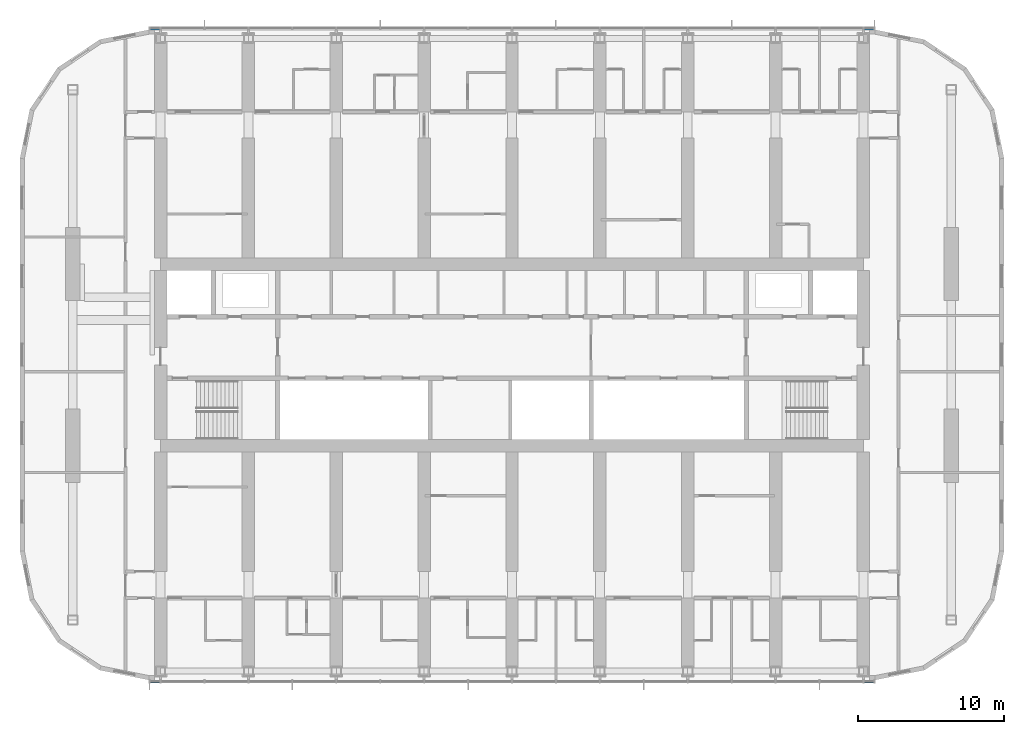
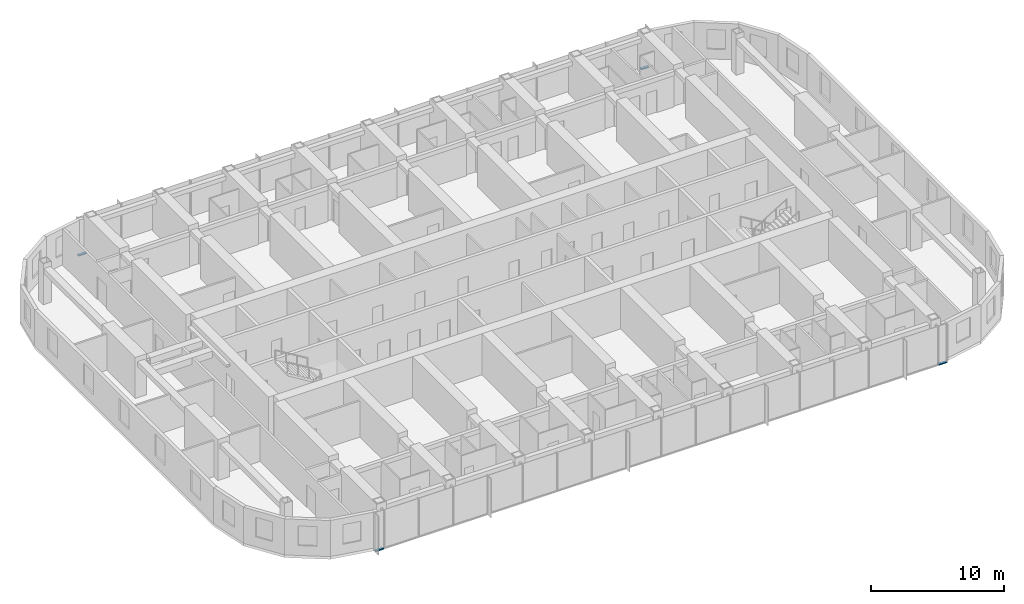
# One storey, part 6 of 23: 4 members, 2 elements without a shape of their own.
"""IFC4 building model written with IfcOpenShell, lengths in metres."""

from ifc_helpers import new_model, si_unit, direction, frame, origin, origin_2d, place, context, subcontext, project, spatial, rectangle, extrude, material, material_profile, profile_set, type_object, element, aggregate, save


model = new_model("IFC4")

# Units and contexts
model_context = context("Model", 3, precision=1e-05, world=origin(), true_north=direction((0.0, 1.0)))
body_context = subcontext(model_context, "Body", "Model", "MODEL_VIEW")
ifc_project = project(units=[si_unit("LENGTHUNIT", "METRE"), si_unit("AREAUNIT", "SQUARE_METRE"), si_unit("VOLUMEUNIT", "CUBIC_METRE"), si_unit("PLANEANGLEUNIT", "RADIAN"), si_unit("MASSUNIT", "GRAM", prefix="KILO")], contexts=[model_context])

# Site, building, storey
site_placement = place(None, origin())
site = spatial("IfcSite", under=ifc_project, at=site_placement, CompositionType="ELEMENT")
building_placement = place(site_placement, origin())
building = spatial("IfcBuilding", under=site, at=building_placement, Name="Orbita Commons", CompositionType="ELEMENT")
storey_placement = place(building_placement, frame((0.0, 0.0, 174.85009765625)))
storey = spatial("IfcBuildingStorey", under=building, at=storey_placement, Name="L43", CompositionType="ELEMENT", Elevation=174.85009765625)

# Curtain wall, members
ifc_material_1 = material(Name="Anodised aluminium frame, pale silver", Category="aluminium")
curtain_wall_type = type_object("IfcCurtainWallType", Name="Unitised curtain wall CW-U, full-height vision", PredefinedType="NOTDEFINED", material=ifc_material_1)
curtain_wall_1_placement = place(storey_placement, origin())
curtain_wall_1 = element("IfcCurtainWall", 1, at=curtain_wall_1_placement, inside=storey, type_object=curtain_wall_type, Name="Curtain wall south L43", PredefinedType="NOTDEFINED")
ifc_material_2 = material(Name="Anodised aluminium, pale silver", Category="aluminium")
ifc_material_profile = material_profile(ifc_material_2, rectangle(XDim=0.219970703125, YDim=0.10009765625, at=origin_2d()), Name="AL 220x100")
ifc_profile_set = profile_set([ifc_material_profile], Name="Anodised aluminium, pale silver")
member_type = type_object("IfcMemberType", Name="Curtain wall stack transom 220x100", PredefinedType="USERDEFINED", material=ifc_profile_set)
member_1_placement = place(storey_placement, frame((17.280029296875, 9.68994140625, -0.2001953125), z_axis=(1.0, 0.0, 0.0), x_axis=(0.0, 1.0, 0.0)))
member_1 = element("IfcMember", 2, at=member_1_placement, type_object=member_type, Name="Transom 1.1 CW-L43-S", ObjectType="TRANSOM", PredefinedType="USERDEFINED", context=body_context, shape_type="SweptSolid", body=[
    extrude(rectangle(XDim=0.219970703125, YDim=0.10009765625, at=origin_2d()), origin(), (0.0, 0.0, 1.0), 0.679931640625),
])
member_2_placement = place(storey_placement, frame((66.0400390625, 9.68994140625, -0.2001953125), z_axis=(1.0, 0.0, 0.0), x_axis=(0.0, 1.0, 0.0)))
member_2 = element("IfcMember", 3, at=member_2_placement, type_object=member_type, Name="Transom 18.1 CW-L43-S", ObjectType="TRANSOM", PredefinedType="USERDEFINED", context=body_context, shape_type="SweptSolid", body=[
    extrude(rectangle(XDim=0.219970703125, YDim=0.10009765625, at=origin_2d()), origin(), (0.0, 0.0, 1.0), 0.679931640625),
])
aggregate(curtain_wall_1, [member_1, member_2])

curtain_wall_2_placement = place(storey_placement, origin())
curtain_wall_2 = element("IfcCurtainWall", 4, at=curtain_wall_2_placement, inside=storey, type_object=curtain_wall_type, Name="Curtain wall north L43", PredefinedType="NOTDEFINED")
member_3_placement = place(storey_placement, frame((66.719970703125, 54.31005859375, -0.2001953125), z_axis=(-1.0, 0.0, 0.0), x_axis=(0.0, -1.0, 0.0)))
member_3 = element("IfcMember", 5, at=member_3_placement, type_object=member_type, Name="Transom 1.1 CW-L43-N", ObjectType="TRANSOM", PredefinedType="USERDEFINED", context=body_context, shape_type="SweptSolid", body=[
    extrude(rectangle(XDim=0.219970703125, YDim=0.10009765625, at=origin_2d()), origin(), (0.0, 0.0, 1.0), 0.679931640625),
])
member_4_placement = place(storey_placement, frame((17.9599609375, 54.31005859375, -0.2001953125), z_axis=(-1.0, 0.0, 0.0), x_axis=(0.0, -1.0, 0.0)))
member_4 = element("IfcMember", 6, at=member_4_placement, type_object=member_type, Name="Transom 18.1 CW-L43-N", ObjectType="TRANSOM", PredefinedType="USERDEFINED", context=body_context, shape_type="SweptSolid", body=[
    extrude(rectangle(XDim=0.219970703125, YDim=0.10009765625, at=origin_2d()), origin(), (0.0, 0.0, 1.0), 0.679931640625),
])
aggregate(curtain_wall_2, [member_3, member_4])

save(model, "model.ifc")
